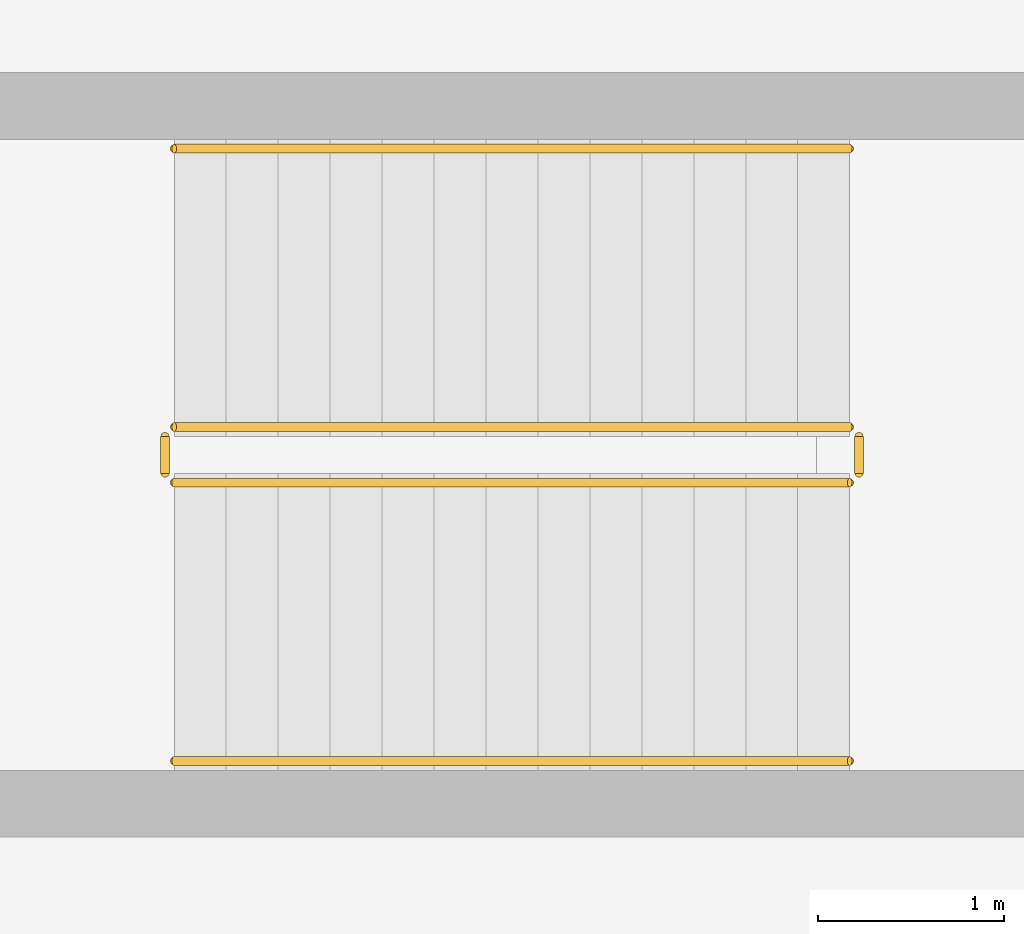
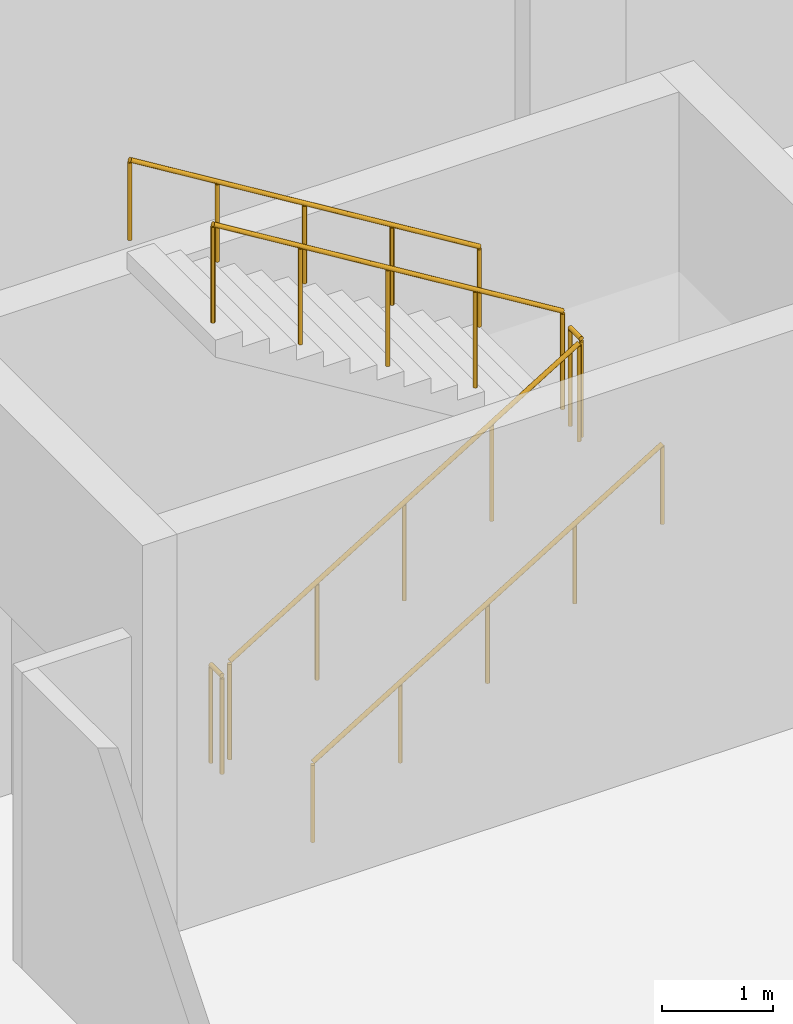
# One storey, part 23 of 28: 6 railings.
"""IFC4 building model written with IfcOpenShell, lengths in metres."""

from ifc_helpers import new_model, si_unit, direction, frame, origin, origin_2d, place, context, subcontext, project, spatial, circle, extrude, material, type_object, element, save


model = new_model("IFC4")

# Units and contexts
model_context = context("Model", 3, precision=1e-05, world=origin(), true_north=direction((0.0, 1.0)))
body_context = subcontext(model_context, "Body", "Model", "MODEL_VIEW")
ifc_project = project(units=[si_unit("LENGTHUNIT", "METRE"), si_unit("AREAUNIT", "SQUARE_METRE"), si_unit("VOLUMEUNIT", "CUBIC_METRE"), si_unit("PLANEANGLEUNIT", "RADIAN"), si_unit("MASSUNIT", "GRAM", prefix="KILO")], contexts=[model_context])

# Site, building, storey
site_placement = place(None, origin())
site = spatial("IfcSite", under=ifc_project, at=site_placement, CompositionType="ELEMENT")
building_placement = place(site_placement, origin())
building = spatial("IfcBuilding", under=site, at=building_placement, Name="Zereglee Splitstone Museum", CompositionType="ELEMENT")
storey_placement = place(building_placement, frame((0.0, 0.0, -4.800048828125)))
storey = spatial("IfcBuildingStorey", under=building, at=storey_placement, Name="B1", CompositionType="ELEMENT", Elevation=-4.800048828125)

# Railings
ifc_material_1 = material(Name="Painted steel S355J2 post-and-baluster guard", Category="steel")
railing_type_1 = type_object("IfcRailingType", Name="GR-03", PredefinedType="BALUSTRADE", material=ifc_material_1)
railing_1_placement = place(storey_placement, frame((128.64990234375, 44.14990234375, 0.17138671875)))
element("IfcRailing", 1, at=railing_1_placement, inside=storey, type_object=railing_type_1, Name="B1 ST-03 stair guard 1", PredefinedType="BALUSTRADE", context=body_context, shape_type="SweptSolid", body=[
    extrude(circle(Radius=0.02392578125, at=origin_2d()), frame((0.0, 0.0, 1.076416015625), z_axis=(0.852840387347, 0.0, 0.522171689878), x_axis=(0.0, 1.0, 0.0)), (0.0, 0.0, 1.0), 4.268310546875),
    extrude(circle(Radius=0.02099609375, at=origin_2d()), origin(), (0.0, 0.0, 1.0), 1.052001953125),
    extrude(circle(Radius=0.02099609375, at=origin_2d()), frame((0.91015625, 0.0, 0.55712890625)), (0.0, 0.0, 1.0), 1.052001953125),
    extrude(circle(Radius=0.02099609375, at=origin_2d()), frame((1.820068359375, 0.0, 1.1142578125)), (0.0, 0.0, 1.0), 1.052001953125),
    extrude(circle(Radius=0.02099609375, at=origin_2d()), frame((2.72998046875, 0.0, 1.671630859375)), (0.0, 0.0, 1.0), 1.052001953125),
    extrude(circle(Radius=0.02099609375, at=origin_2d()), frame((3.64013671875, 0.0, 2.228759765625)), (0.0, 0.0, 1.0), 1.052001953125),
])
railing_2_placement = place(storey_placement, frame((132.340087890625, 44.199951171875, 2.400146484375)))
element("IfcRailing", 2, at=railing_2_placement, inside=storey, type_object=railing_type_1, Name="B1 ST-03 stair guard 2", PredefinedType="BALUSTRADE", context=body_context, shape_type="SweptSolid", body=[
    extrude(circle(Radius=0.02392578125, at=origin_2d()), frame((0.0, 0.0, 1.076416015625), z_axis=(0.0, 1.0, 0.0), x_axis=(-1.0, 0.0, 0.0)), (0.0, 0.0, 1.0), 0.199951171875),
    extrude(circle(Radius=0.02099609375, at=origin_2d()), origin(), (0.0, 0.0, 1.0), 1.052001953125),
    extrude(circle(Radius=0.02099609375, at=origin_2d()), frame((0.0, 0.199951171875, 0.0)), (0.0, 0.0, 1.0), 1.052001953125),
])
railing_3_placement = place(storey_placement, frame((132.2900390625, 44.449951171875, 2.571533203125)))
element("IfcRailing", 3, at=railing_3_placement, inside=storey, type_object=railing_type_1, Name="B1 ST-03 stair guard 3", PredefinedType="BALUSTRADE", context=body_context, shape_type="SweptSolid", body=[
    extrude(circle(Radius=0.02392578125, at=origin_2d()), frame((0.0, 0.0, 1.076416015625), z_axis=(-0.852865859571, 0.0, 0.52213008492), x_axis=(0.0, -1.0, 0.0)), (0.0, 0.0, 1.0), 4.26806640625),
    extrude(circle(Radius=0.02099609375, at=origin_2d()), origin(), (0.0, 0.0, 1.0), 1.052001953125),
    extrude(circle(Radius=0.02099609375, at=origin_2d()), frame((-0.91015625, 0.0, 0.55712890625)), (0.0, 0.0, 1.0), 1.052001953125),
    extrude(circle(Radius=0.02099609375, at=origin_2d()), frame((-1.820068359375, 0.0, 1.1142578125)), (0.0, 0.0, 1.0), 1.052001953125),
    extrude(circle(Radius=0.02099609375, at=origin_2d()), frame((-2.72998046875, 0.0, 1.67138671875)), (0.0, 0.0, 1.0), 1.052001953125),
    extrude(circle(Radius=0.02099609375, at=origin_2d()), frame((-3.64013671875, 0.0, 2.228515625)), (0.0, 0.0, 1.0), 1.052001953125),
])
railing_4_placement = place(storey_placement, frame((128.60009765625, 44.199951171875, 0.0)))
element("IfcRailing", 4, at=railing_4_placement, inside=storey, type_object=railing_type_1, Name="B1 ST-03 stair guard 4", PredefinedType="BALUSTRADE", context=body_context, shape_type="SweptSolid", body=[
    extrude(circle(Radius=0.02392578125, at=origin_2d()), frame((0.0, 0.0, 1.076416015625), z_axis=(0.0, 1.0, 0.0), x_axis=(-1.0, 0.0, 0.0)), (0.0, 0.0, 1.0), 0.199951171875),
    extrude(circle(Radius=0.02099609375, at=origin_2d()), origin(), (0.0, 0.0, 1.0), 1.052001953125),
    extrude(circle(Radius=0.02099609375, at=origin_2d()), frame((0.0, 0.199951171875, 0.0)), (0.0, 0.0, 1.0), 1.052001953125),
])
ifc_material_2 = material(Name="Architectural bronze tubular handrail", Category="steel")
railing_type_2 = type_object("IfcRailingType", Name="HR-01", PredefinedType="HANDRAIL", material=ifc_material_2)
railing_5_placement = place(storey_placement, frame((128.64990234375, 42.64990234375, 0.17138671875)))
element("IfcRailing", 5, at=railing_5_placement, inside=storey, type_object=railing_type_2, Name="B1 ST-03 stair handrail 1", PredefinedType="HANDRAIL", context=body_context, shape_type="SweptSolid", body=[
    extrude(circle(Radius=0.02392578125, at=origin_2d()), frame((0.0, 0.0, 0.8759765625), z_axis=(0.852840387347, 0.0, 0.522171689878), x_axis=(0.0, 1.0, 0.0)), (0.0, 0.0, 1.0), 4.268310546875),
    extrude(circle(Radius=0.02099609375, at=origin_2d()), origin(), (0.0, 0.0, 1.0), 0.851806640625),
    extrude(circle(Radius=0.02099609375, at=origin_2d()), frame((0.91015625, 0.0, 0.55712890625)), (0.0, 0.0, 1.0), 0.851806640625),
    extrude(circle(Radius=0.02099609375, at=origin_2d()), frame((1.820068359375, 0.0, 1.1142578125)), (0.0, 0.0, 1.0), 0.851806640625),
    extrude(circle(Radius=0.02099609375, at=origin_2d()), frame((2.72998046875, 0.0, 1.671630859375)), (0.0, 0.0, 1.0), 0.851806640625),
    extrude(circle(Radius=0.02099609375, at=origin_2d()), frame((3.64013671875, 0.0, 2.228759765625)), (0.0, 0.0, 1.0), 0.851806640625),
])
railing_6_placement = place(storey_placement, frame((132.2900390625, 45.949951171875, 2.571533203125)))
element("IfcRailing", 6, at=railing_6_placement, inside=storey, type_object=railing_type_2, Name="B1 ST-03 stair handrail 2", PredefinedType="HANDRAIL", context=body_context, shape_type="SweptSolid", body=[
    extrude(circle(Radius=0.02392578125, at=origin_2d()), frame((0.0, 0.0, 0.8759765625), z_axis=(-0.852865859571, 0.0, 0.52213008492), x_axis=(0.0, -1.0, 0.0)), (0.0, 0.0, 1.0), 4.26806640625),
    extrude(circle(Radius=0.02099609375, at=origin_2d()), origin(), (0.0, 0.0, 1.0), 0.851806640625),
    extrude(circle(Radius=0.02099609375, at=origin_2d()), frame((-0.91015625, 0.0, 0.55712890625)), (0.0, 0.0, 1.0), 0.851806640625),
    extrude(circle(Radius=0.02099609375, at=origin_2d()), frame((-1.820068359375, 0.0, 1.1142578125)), (0.0, 0.0, 1.0), 0.851806640625),
    extrude(circle(Radius=0.02099609375, at=origin_2d()), frame((-2.72998046875, 0.0, 1.67138671875)), (0.0, 0.0, 1.0), 0.851806640625),
    extrude(circle(Radius=0.02099609375, at=origin_2d()), frame((-3.64013671875, 0.0, 2.228515625)), (0.0, 0.0, 1.0), 0.851806640625),
])

save(model, "model.ifc")
